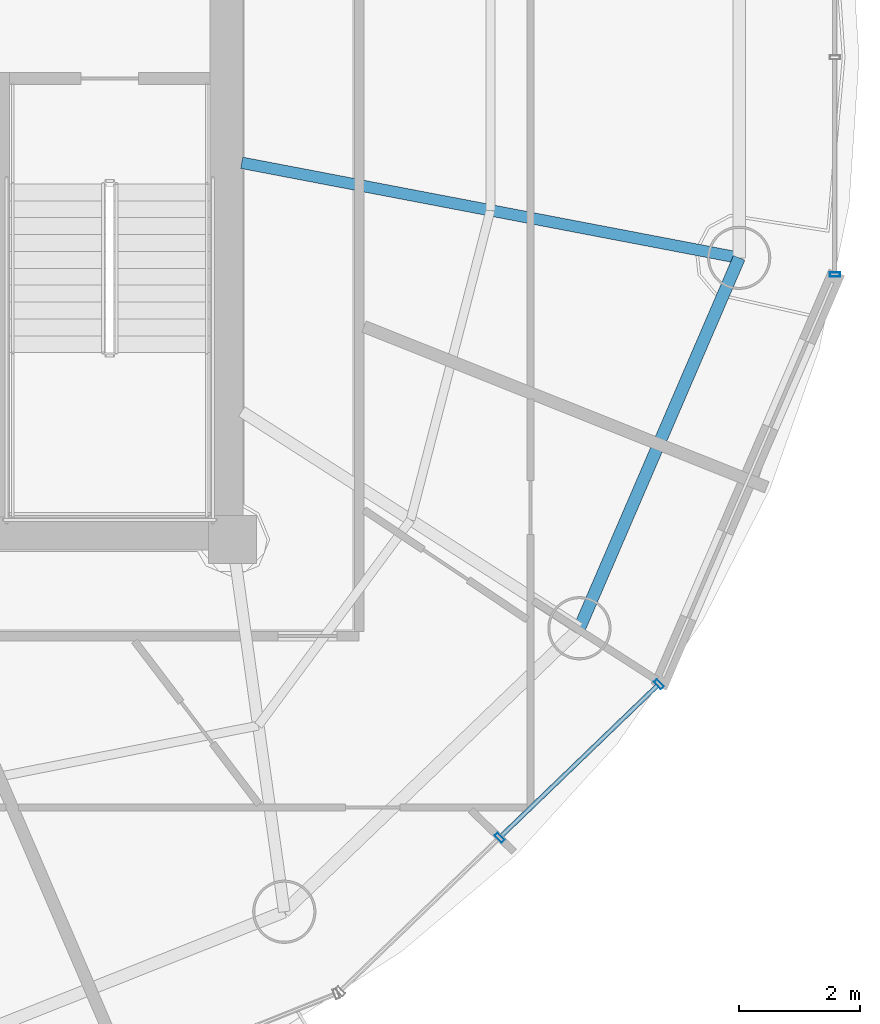
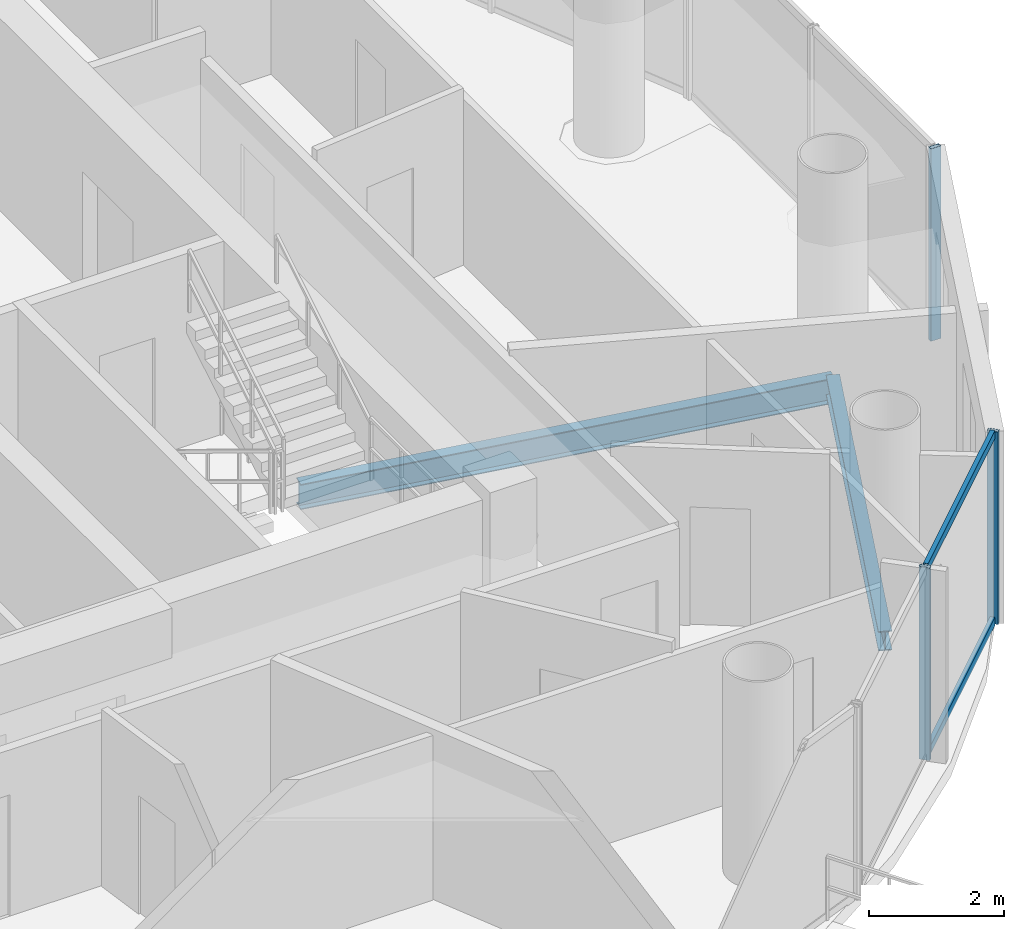
# One storey, part 11 of 24: 5 members, 2 beams, 2 elements without a shape of their own.
"""IFC4 building model written with IfcOpenShell, lengths in metres."""

from ifc_helpers import new_model, si_unit, direction, frame, origin, origin_2d, place, context, subcontext, project, spatial, hollow_rectangle, i_section, extrude, source, transform, mapped, material, material_profile, profile_set, type_object, element, aggregate, save


model = new_model("IFC4")

# Units and contexts
model_context = context("Model", 3, precision=1e-05, world=origin(), true_north=direction((-0.2419218956, 0.970295726276)))
body_context = subcontext(model_context, "Body", "Model", "MODEL_VIEW")
ifc_project = project(units=[si_unit("LENGTHUNIT", "METRE"), si_unit("AREAUNIT", "SQUARE_METRE"), si_unit("VOLUMEUNIT", "CUBIC_METRE"), si_unit("PLANEANGLEUNIT", "RADIAN"), si_unit("MASSUNIT", "GRAM", prefix="KILO")], contexts=[model_context])

# Site, building, storey
site_placement = place(None, origin())
site = spatial("IfcSite", under=ifc_project, at=site_placement, CompositionType="ELEMENT")
building_placement = place(site_placement, origin())
building = spatial("IfcBuilding", under=site, at=building_placement, Name="Cobrevalo Terracotta Tower", CompositionType="ELEMENT")
storey_placement = place(building_placement, frame((0.0, 0.0, 270.699951171875)))
storey = spatial("IfcBuildingStorey", under=building, at=storey_placement, Name="L71", CompositionType="ELEMENT", Elevation=270.699951171875)

# Beams
ifc_material_1 = material(Name="Steel S355", Category="steel")
ifc_material_profile_1 = material_profile(ifc_material_1, i_section(OverallWidth=0.19091796875, OverallDepth=0.4599609375, WebThickness=0.010009765625, FlangeThickness=0.01611328125, at=origin_2d()), Name="W 460x82")
ifc_profile_set_1 = profile_set([ifc_material_profile_1], Name="Steel S355")
beam_type_1 = type_object("IfcBeamType", Name="Structural Beam W 460x82 (Steel S355)", PredefinedType="BEAM", material=ifc_profile_set_1)
beam_1_placement = place(storey_placement, frame((55.408935546875, 23.4736328125, -0.489990234375), z_axis=(-0.982229562106, 0.187683476432, 0.0), x_axis=(-0.187683476432, -0.982229562106, 0.0)))
element("IfcBeam", 1, at=beam_1_placement, inside=storey, type_object=beam_type_1, Name="L71 radial floor girder 16", PredefinedType="BEAM", context=body_context, shape_type="SweptSolid", body=[
    extrude(i_section(OverallWidth=0.19091796875, OverallDepth=0.4599609375, WebThickness=0.010009765625, FlangeThickness=0.01611328125, at=origin_2d()), origin(), (0.0, 0.0, 1.0), 8.4033203125),
])
ifc_material_profile_2 = material_profile(ifc_material_1, i_section(OverallWidth=0.205078125, OverallDepth=0.35400390625, WebThickness=0.009521484375, FlangeThickness=0.016845703125, at=origin_2d()), Name="W 360x79")
ifc_profile_set_2 = profile_set([ifc_material_profile_2], Name="Steel S355")
beam_type_2 = type_object("IfcBeamType", Name="Structural Spandrel W 360x79 (Steel S355)", PredefinedType="SPANDREL", material=ifc_profile_set_2)
beam_2_placement = place(storey_placement, frame((52.758544921875, 17.32763671875, -0.43701171875), z_axis=(0.395987390706, 0.918255948198, 0.0), x_axis=(-0.918255948198, 0.395987390706, 0.0)))
element("IfcBeam", 2, at=beam_2_placement, inside=storey, type_object=beam_type_2, Name="L71 perimeter ring spandrel 15", PredefinedType="SPANDREL", context=body_context, shape_type="SweptSolid", body=[
    extrude(i_section(OverallWidth=0.205078125, OverallDepth=0.35400390625, WebThickness=0.009521484375, FlangeThickness=0.016845703125, at=origin_2d()), origin(), (0.0, 0.0, 1.0), 6.693115234375),
])

# Curtain wall, members
ifc_material_2 = material(Name="Anodized aluminium", Category="aluminium")
curtain_wall_type = type_object("IfcCurtainWallType", Name="Upper-tower triple-glazed penthouse curtain wall CW-U3", PredefinedType="NOTDEFINED", material=ifc_material_2)
curtain_wall_1_placement = place(storey_placement, origin())
curtain_wall_1 = element("IfcCurtainWall", 3, at=curtain_wall_1_placement, inside=storey, type_object=curtain_wall_type, Name="L71 curtain wall CW-L71-S14", PredefinedType="NOTDEFINED")
ifc_material_profile_3 = material_profile(ifc_material_2, hollow_rectangle(XDim=0.070068359375, YDim=0.169921875, WallThickness=0.00439453125, at=origin_2d()), Name="CWM 70x170")
ifc_profile_set_3 = profile_set([ifc_material_profile_3], Name="Anodized aluminium")
member_type_1 = type_object("IfcMemberType", Name="Upper tower unitised mullion 70x170", PredefinedType="MULLION", material=ifc_profile_set_3)
shared_shape_1 = source(origin(), body_context, "Body", "SweptSolid", [
    extrude(hollow_rectangle(XDim=0.070068359375, YDim=0.169921875, WallThickness=0.00439453125, at=origin_2d()), origin(), (0.0, 0.0, 1.0), 3.489990234375),
])
member_1_placement = place(storey_placement, frame((51.43359375, 13.85205078125, 0.0), z_axis=(0.0, 0.0, 1.0), x_axis=(0.71999418085, 0.69398010025, 0.0)))
member_1 = element("IfcMember", 4, at=member_1_placement, type_object=member_type_1, Name="CW-L71-S14 vertical mullion 02", PredefinedType="MULLION", context=body_context, shape_type="MappedRepresentation", body=[
    mapped(shared_shape_1, transform((0.0, 0.0, 0.0), scale=1.0)),
])
member_2_placement = place(storey_placement, frame((54.07666015625, 16.399658203125, 0.0), z_axis=(0.0, 0.0, 1.0), x_axis=(0.71999418085, 0.69398010025, 0.0)))
member_2 = element("IfcMember", 5, at=member_2_placement, type_object=member_type_1, Name="CW-L71-S14 vertical mullion 03", PredefinedType="MULLION", context=body_context, shape_type="MappedRepresentation", body=[
    mapped(shared_shape_1, transform((0.0, 0.0, 0.0), scale=1.0)),
])

# Curtain wall, member
curtain_wall_2_placement = place(storey_placement, origin())
curtain_wall_2 = element("IfcCurtainWall", 6, at=curtain_wall_2_placement, inside=storey, type_object=curtain_wall_type, Name="L71 curtain wall CW-L71-S16", PredefinedType="NOTDEFINED")
member_3_placement = place(storey_placement, frame((56.997802734375, 23.19775390625, 0.0), z_axis=(0.0, 0.0, 1.0), x_axis=(0.0, 1.0, 0.0)))
member_3 = element("IfcMember", 7, at=member_3_placement, type_object=member_type_1, Name="CW-L71-S16 vertical mullion 01", PredefinedType="MULLION", context=body_context, shape_type="MappedRepresentation", body=[
    mapped(shared_shape_1, transform((0.0, 0.0, 0.0), scale=1.0)),
])
aggregate(curtain_wall_2, [member_3])

# Member
ifc_material_profile_4 = material_profile(ifc_material_2, hollow_rectangle(XDim=0.074951171875, YDim=0.14990234375, WallThickness=0.00439453125, at=origin_2d()), Name="CWT 75x150")
ifc_profile_set_4 = profile_set([ifc_material_profile_4], Name="Anodized aluminium")
member_type_2 = type_object("IfcMemberType", Name="Tower unitised aluminium transom 75x150", PredefinedType="USERDEFINED", material=ifc_profile_set_4)
shared_shape_2 = source(origin(), body_context, "Body", "SweptSolid", [
    extrude(hollow_rectangle(XDim=0.074951171875, YDim=0.14990234375, WallThickness=0.00439453125, at=origin_2d()), origin(), (0.0, 0.0, 1.0), 3.59130859375),
])
member_4_placement = place(storey_placement, frame((51.462158203125, 13.879638671875, 0.050048828125), z_axis=(0.719971660756, 0.694003463758, 0.0), x_axis=(-0.694003463758, 0.719971660756, 0.0)))
member_4 = element("IfcMember", 8, at=member_4_placement, type_object=member_type_2, Name="CW-L71-S14 transom B02-T1", ObjectType="TRANSOM", PredefinedType="USERDEFINED", context=body_context, shape_type="MappedRepresentation", body=[
    mapped(shared_shape_2, transform((0.0, 0.0, 0.0), scale=1.0)),
])

member_5_placement = place(storey_placement, frame((51.462158203125, 13.879638671875, 3.43994140625), z_axis=(0.719971660756, 0.694003463758, 0.0), x_axis=(-0.694003463758, 0.719971660756, 0.0)))
member_5 = element("IfcMember", 9, at=member_5_placement, type_object=member_type_2, Name="CW-L71-S14 transom B02-T2", ObjectType="TRANSOM", PredefinedType="USERDEFINED", context=body_context, shape_type="MappedRepresentation", body=[
    mapped(shared_shape_2, transform((0.0, 0.0, 0.0), scale=1.0)),
])

aggregate(curtain_wall_1, [member_1, member_2, member_4, member_5])

save(model, "model.ifc")
